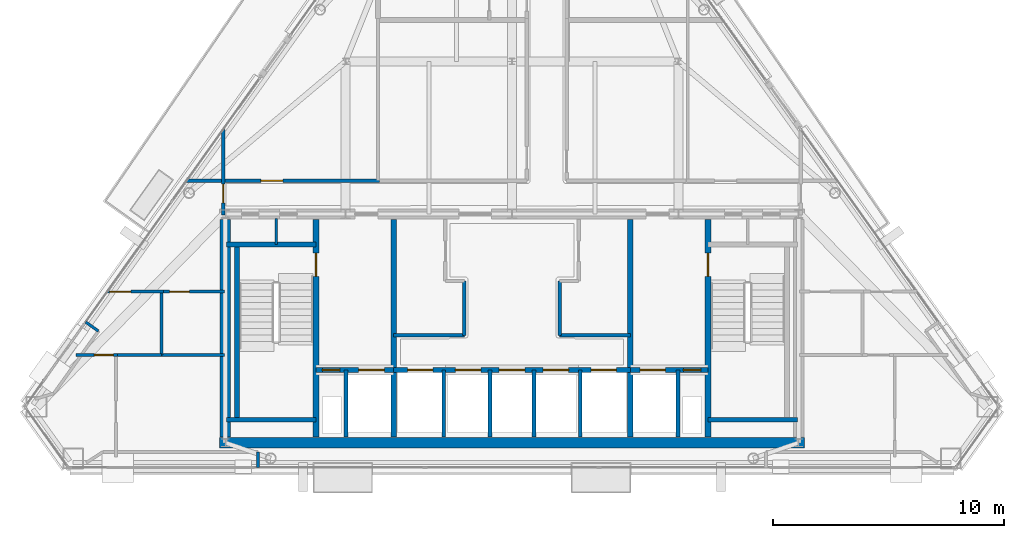
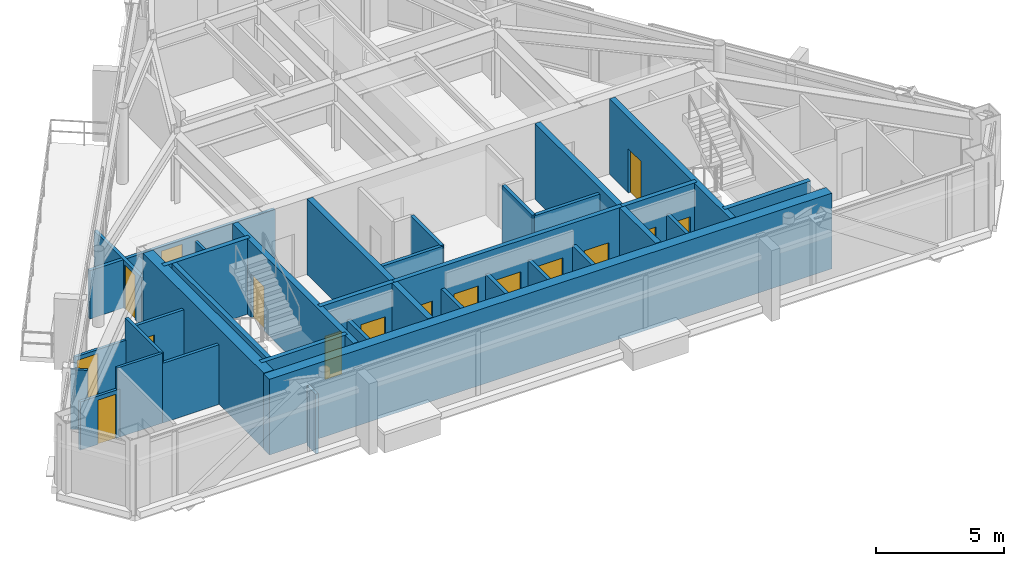
# One storey, part 8 of 12: 34 walls, 16 doors, 16 openings.
"""IFC4 building model written with IfcOpenShell, lengths in metres."""

from ifc_helpers import new_model, si_unit, direction, frame, frame_2d, origin, place, context, subcontext, project, spatial, rectangle, extrude, material, layer, layer_set, type_object, element, fill, save


model = new_model("IFC4")

# Units and contexts
model_context = context("Model", 3, precision=1e-05, world=origin(), true_north=direction((0.0, 1.0)))
body_context = subcontext(model_context, "Body", "Model", "MODEL_VIEW")
ifc_project = project(units=[si_unit("LENGTHUNIT", "METRE"), si_unit("AREAUNIT", "SQUARE_METRE"), si_unit("VOLUMEUNIT", "CUBIC_METRE"), si_unit("PLANEANGLEUNIT", "RADIAN"), si_unit("MASSUNIT", "GRAM", prefix="KILO")], contexts=[model_context])

# Site, building, storey
site_placement = place(None, origin())
site = spatial("IfcSite", under=ifc_project, at=site_placement, CompositionType="ELEMENT")
building_placement = place(site_placement, origin())
building = spatial("IfcBuilding", under=site, at=building_placement, Name="Talgorran Terracotta Tower", CompositionType="ELEMENT")
storey_placement = place(building_placement, frame((0.0, 0.0, 281.39990234375)))
storey = spatial("IfcBuildingStorey", under=building, at=storey_placement, Name="L74", CompositionType="ELEMENT", Elevation=281.39990234375)

# Walls
ifc_material_1 = material(Name="Concrete C50/60", Category="concrete")
ifc_layer_1 = layer(ifc_material_1, 0.199951171875, Name="WT_CORE_200")
ifc_layer_set_1 = layer_set([ifc_layer_1], Name="Concrete C50/60")
wall_type_1 = type_object("IfcWallType", Name="WT_CORE_200", PredefinedType="SOLIDWALL", material=ifc_layer_set_1)
for number, where, z_axis, x_axis, name in (
    (1, (-12.35009765625, -5.52001953125, 0.0), (0.0, 0.0, 1.0), (1.0, 0.0, 0.0), "WL-L74-CW-ST1-N"),
    (2, (-12.35009765625, -13.10009765625, 0.0), (0.0, 0.0, 1.0), (1.0, 0.0, 0.0), "WL-L74-CW-ST1-S"),
):
    element("IfcWall", number, at=place(storey_placement, frame(where, z_axis=z_axis, x_axis=x_axis)), inside=storey, type_object=wall_type_1, Name=name, PredefinedType="SOLIDWALL", context=body_context, shape_type="SweptSolid", body=[
        extrude(rectangle(XDim=3.8701171875, YDim=0.199951171875, at=frame_2d((1.93505859375, 0.0))), origin(), (0.0, 0.0, 1.0), 3.60009765625),
    ])
wall_1_placement = place(storey_placement, frame((-11.89990234375, -13.10009765625, 0.0), z_axis=(0.0, 0.0, 1.0), x_axis=(0.0, 1.0, 0.0)))
element("IfcWall", 3, at=wall_1_placement, inside=storey, type_object=wall_type_1, Name="WL-L74-CW-ST1-W", PredefinedType="SOLIDWALL", context=body_context, shape_type="SweptSolid", body=[
    extrude(rectangle(XDim=7.580078125, YDim=0.199951171875, at=frame_2d((3.7900390625, 0.0))), origin(), (0.0, 0.0, 1.0), 3.60009765625),
])
wall_2_placement = place(storey_placement, frame((8.47998046875, -13.10009765625, 0.0), z_axis=(0.0, 0.0, 1.0), x_axis=(1.0, 0.0, 0.0)))
element("IfcWall", 4, at=wall_2_placement, inside=storey, type_object=wall_type_1, Name="WL-L74-CW-ST2-S", PredefinedType="SOLIDWALL", context=body_context, shape_type="SweptSolid", body=[
    extrude(rectangle(XDim=3.8701171875, YDim=0.199951171875, at=frame_2d((1.93505859375, 0.0))), origin(), (0.0, 0.0, 1.0), 3.60009765625),
])

# Wall, openings, doors
wall_3_placement = place(storey_placement, frame((-8.47998046875, -10.949951171875, 0.0), z_axis=(0.0, 0.0, 1.0), x_axis=(1.0, 0.0, 0.0)))
wall_3 = element("IfcWall", 5, at=wall_3_placement, inside=storey, type_object=wall_type_1, Name="WL-L74-CW-H-SBW", PredefinedType="SOLIDWALL", context=body_context, shape_type="SweptSolid", body=[
    extrude(rectangle(XDim=3.35986328125, YDim=0.199951171875, at=frame_2d((1.679931640625, 0.0))), origin(), (0.0, 0.0, 1.0), 3.60009765625),
])
opening_1_placement = place(wall_3_placement, frame((0.280029296875, 0.0, 0.0)))
opening_1 = element("IfcOpeningElement", 6, at=opening_1_placement, cuts=wall_3, Name="Opening DR-RSW", PredefinedType="OPENING", context=body_context, shape_type="SweptSolid", body=[
    extrude(rectangle(XDim=0.756, YDim=2.054048828125, at=frame_2d((0.375, 1.027099609375))), frame((0.0, 0.10986328125, 0.0), z_axis=(0.0, -1.0, 0.0), x_axis=(1.0, 0.0, 0.0)), (0.0, 0.0, 1.0), 0.219970703125),
])
opening_2_placement = place(wall_3_placement, frame((1.85009765625, 0.0, 0.0)))
opening_2 = element("IfcOpeningElement", 7, at=opening_2_placement, cuts=wall_3, Name="Opening LD-FFL1", PredefinedType="OPENING", context=body_context, shape_type="SweptSolid", body=[
    extrude(rectangle(XDim=1.10609765625, YDim=2.10409765625, at=frame_2d((0.550048828125, 1.052001953125))), frame((0.0, 0.10986328125, 0.0), z_axis=(0.0, -1.0, 0.0), x_axis=(1.0, 0.0, 0.0)), (0.0, 0.0, 1.0), 0.219970703125),
])
ifc_material_2 = material(Name="Brushed Stainless Steel Grade 304", Category="steel")
door_type_1 = type_object("IfcDoorType", Name="DT_LIFT_LD1100", OperationType="DOUBLE_DOOR_SLIDING", PredefinedType="DOOR", material=ifc_material_2)
door_1_placement = place(opening_2_placement, origin())
door_1 = element("IfcDoor", 8, at=door_1_placement, inside=storey, type_object=door_type_1, Name="L74 Lift Landing Door LD-FFL1", OperationType="DOUBLE_DOOR_SLIDING", OverallHeight=2.10009765625, OverallWidth=1.10009765625, PredefinedType="DOOR", context=body_context, shape_type="SweptSolid", body=[
    extrude(rectangle(XDim=1.10009765625, YDim=2.10009765625, at=frame_2d((0.550048828125, 1.050048828125))), frame((0.0, 0.02490234375, 0.0), z_axis=(0.0, -1.0, 0.0), x_axis=(1.0, 0.0, 0.0)), (0.0, 0.0, 1.0), 0.050048828125),
])
fill(opening_2, door_1)
ifc_material_3 = material(Name="Fire-Rated Pressed Steel", Category="steel")
door_type_2 = type_object("IfcDoorType", Name="DT_RISER_750", OperationType="NOTDEFINED", PredefinedType="DOOR", material=ifc_material_3)
door_2_placement = place(opening_1_placement, origin())
door_2 = element("IfcDoor", 9, at=door_2_placement, inside=storey, type_object=door_type_2, Name="DR-RSW", OperationType="SINGLE_SWING_LEFT", OverallHeight=2.050048828125, OverallWidth=0.75, PredefinedType="DOOR", context=body_context, shape_type="SweptSolid", body=[
    extrude(rectangle(XDim=0.75, YDim=2.050048828125, at=frame_2d((0.375, 1.02490234375))), frame((0.0, 0.02490234375, 0.0), z_axis=(0.0, -1.0, 0.0), x_axis=(1.0, 0.0, 0.0)), (0.0, 0.0, 1.0), 0.050048828125),
])
fill(opening_1, door_2)

wall_4_placement = place(storey_placement, frame((-5.1201171875, -10.949951171875, 0.0), z_axis=(0.0, 0.0, 1.0), x_axis=(1.0, 0.0, 0.0)))
wall_4 = element("IfcWall", 10, at=wall_4_placement, inside=storey, type_object=wall_type_1, Name="WL-L74-CW-H-SBC", PredefinedType="SOLIDWALL", context=body_context, shape_type="SweptSolid", body=[
    extrude(rectangle(XDim=10.240234375, YDim=0.199951171875, at=frame_2d((5.1201171875, 0.0))), origin(), (0.0, 0.0, 1.0), 3.60009765625),
])
opening_3_placement = place(wall_4_placement, frame((0.60009765625, 0.0, 0.0)))
opening_3 = element("IfcOpeningElement", 11, at=opening_3_placement, cuts=wall_4, Name="Opening LD-OB1", PredefinedType="OPENING", context=body_context, shape_type="SweptSolid", body=[
    extrude(rectangle(XDim=1.10609765625, YDim=2.10409765625, at=frame_2d((0.550048828125, 1.052001953125))), frame((0.0, 0.10986328125, 0.0), z_axis=(0.0, -1.0, 0.0), x_axis=(1.0, 0.0, 0.0)), (0.0, 0.0, 1.0), 0.219970703125),
])
opening_4_placement = place(wall_4_placement, frame((2.669921875, 0.0, 0.0)))
opening_4 = element("IfcOpeningElement", 12, at=opening_4_placement, cuts=wall_4, Name="Opening LD-PLH1", PredefinedType="OPENING", context=body_context, shape_type="SweptSolid", body=[
    extrude(rectangle(XDim=1.10609765625, YDim=2.10409765625, at=frame_2d((0.550048828125, 1.052001953125))), frame((0.0, 0.10986328125, 0.0), z_axis=(0.0, -1.0, 0.0), x_axis=(1.0, 0.0, 0.0)), (0.0, 0.0, 1.0), 0.219970703125),
])
opening_5_placement = place(wall_4_placement, frame((4.570068359375, 0.0, 0.0)))
opening_5 = element("IfcOpeningElement", 13, at=opening_5_placement, cuts=wall_4, Name="Opening LD-PLH2", PredefinedType="OPENING", context=body_context, shape_type="SweptSolid", body=[
    extrude(rectangle(XDim=1.10609765625, YDim=2.10409765625, at=frame_2d((0.550048828125, 1.052001953125))), frame((0.0, 0.10986328125, 0.0), z_axis=(0.0, -1.0, 0.0), x_axis=(1.0, 0.0, 0.0)), (0.0, 0.0, 1.0), 0.219970703125),
])
opening_6_placement = place(wall_4_placement, frame((6.469970703125, 0.0, 0.0)))
opening_6 = element("IfcOpeningElement", 14, at=opening_6_placement, cuts=wall_4, Name="Opening LD-PLH3", PredefinedType="OPENING", context=body_context, shape_type="SweptSolid", body=[
    extrude(rectangle(XDim=1.10609765625, YDim=2.10409765625, at=frame_2d((0.550048828125, 1.052001953125))), frame((0.0, 0.10986328125, 0.0), z_axis=(0.0, -1.0, 0.0), x_axis=(1.0, 0.0, 0.0)), (0.0, 0.0, 1.0), 0.219970703125),
])
opening_7_placement = place(wall_4_placement, frame((8.5400390625, 0.0, 0.0)))
opening_7 = element("IfcOpeningElement", 15, at=opening_7_placement, cuts=wall_4, Name="Opening LD-SVL1", PredefinedType="OPENING", context=body_context, shape_type="SweptSolid", body=[
    extrude(rectangle(XDim=1.10609765625, YDim=2.10409765625, at=frame_2d((0.550048828125, 1.052001953125))), frame((0.0, 0.10986328125, 0.0), z_axis=(0.0, -1.0, 0.0), x_axis=(1.0, 0.0, 0.0)), (0.0, 0.0, 1.0), 0.219970703125),
])
door_3_placement = place(opening_3_placement, origin())
door_3 = element("IfcDoor", 16, at=door_3_placement, inside=storey, type_object=door_type_1, Name="L74 Lift Landing Door LD-OB1", OperationType="DOUBLE_DOOR_SLIDING", OverallHeight=2.10009765625, OverallWidth=1.10009765625, PredefinedType="DOOR", context=body_context, shape_type="SweptSolid", body=[
    extrude(rectangle(XDim=1.10009765625, YDim=2.10009765625, at=frame_2d((0.550048828125, 1.050048828125))), frame((0.0, 0.02490234375, 0.0), z_axis=(0.0, -1.0, 0.0), x_axis=(1.0, 0.0, 0.0)), (0.0, 0.0, 1.0), 0.050048828125),
])
fill(opening_3, door_3)
door_4_placement = place(opening_4_placement, origin())
door_4 = element("IfcDoor", 17, at=door_4_placement, inside=storey, type_object=door_type_1, Name="L74 Lift Landing Door LD-PLH1", OperationType="DOUBLE_DOOR_SLIDING", OverallHeight=2.10009765625, OverallWidth=1.10009765625, PredefinedType="DOOR", context=body_context, shape_type="SweptSolid", body=[
    extrude(rectangle(XDim=1.10009765625, YDim=2.10009765625, at=frame_2d((0.550048828125, 1.050048828125))), frame((0.0, 0.02490234375, 0.0), z_axis=(0.0, -1.0, 0.0), x_axis=(1.0, 0.0, 0.0)), (0.0, 0.0, 1.0), 0.050048828125),
])
fill(opening_4, door_4)
door_5_placement = place(opening_5_placement, origin())
door_5 = element("IfcDoor", 18, at=door_5_placement, inside=storey, type_object=door_type_1, Name="L74 Lift Landing Door LD-PLH2", OperationType="DOUBLE_DOOR_SLIDING", OverallHeight=2.10009765625, OverallWidth=1.10009765625, PredefinedType="DOOR", context=body_context, shape_type="SweptSolid", body=[
    extrude(rectangle(XDim=1.10009765625, YDim=2.10009765625, at=frame_2d((0.550048828125, 1.050048828125))), frame((0.0, 0.02490234375, 0.0), z_axis=(0.0, -1.0, 0.0), x_axis=(1.0, 0.0, 0.0)), (0.0, 0.0, 1.0), 0.050048828125),
])
fill(opening_5, door_5)
door_6_placement = place(opening_6_placement, origin())
door_6 = element("IfcDoor", 19, at=door_6_placement, inside=storey, type_object=door_type_1, Name="L74 Lift Landing Door LD-PLH3", OperationType="DOUBLE_DOOR_SLIDING", OverallHeight=2.10009765625, OverallWidth=1.10009765625, PredefinedType="DOOR", context=body_context, shape_type="SweptSolid", body=[
    extrude(rectangle(XDim=1.10009765625, YDim=2.10009765625, at=frame_2d((0.550048828125, 1.050048828125))), frame((0.0, 0.02490234375, 0.0), z_axis=(0.0, -1.0, 0.0), x_axis=(1.0, 0.0, 0.0)), (0.0, 0.0, 1.0), 0.050048828125),
])
fill(opening_6, door_6)
door_7_placement = place(opening_7_placement, origin())
door_7 = element("IfcDoor", 20, at=door_7_placement, inside=storey, type_object=door_type_1, Name="L74 Lift Landing Door LD-SVL1", OperationType="DOUBLE_DOOR_SLIDING", OverallHeight=2.10009765625, OverallWidth=1.10009765625, PredefinedType="DOOR", context=body_context, shape_type="SweptSolid", body=[
    extrude(rectangle(XDim=1.10009765625, YDim=2.10009765625, at=frame_2d((0.550048828125, 1.050048828125))), frame((0.0, 0.02490234375, 0.0), z_axis=(0.0, -1.0, 0.0), x_axis=(1.0, 0.0, 0.0)), (0.0, 0.0, 1.0), 0.050048828125),
])
fill(opening_7, door_7)

wall_5_placement = place(storey_placement, frame((5.1201171875, -10.949951171875, 0.0), z_axis=(0.0, 0.0, 1.0), x_axis=(1.0, 0.0, 0.0)))
wall_5 = element("IfcWall", 21, at=wall_5_placement, inside=storey, type_object=wall_type_1, Name="WL-L74-CW-H-SBE", PredefinedType="SOLIDWALL", context=body_context, shape_type="SweptSolid", body=[
    extrude(rectangle(XDim=3.35986328125, YDim=0.199951171875, at=frame_2d((1.679931640625, 0.0))), origin(), (0.0, 0.0, 1.0), 3.60009765625),
])
opening_8_placement = place(wall_5_placement, frame((0.419921875, 0.0, 0.0)))
opening_8 = element("IfcOpeningElement", 22, at=opening_8_placement, cuts=wall_5, Name="Opening LD-FFL2", PredefinedType="OPENING", context=body_context, shape_type="SweptSolid", body=[
    extrude(rectangle(XDim=1.10609765625, YDim=2.10409765625, at=frame_2d((0.550048828125, 1.052001953125))), frame((0.0, 0.10986328125, 0.0), z_axis=(0.0, -1.0, 0.0), x_axis=(1.0, 0.0, 0.0)), (0.0, 0.0, 1.0), 0.219970703125),
])
opening_9_placement = place(wall_5_placement, frame((2.300048828125, 0.0, 0.0)))
opening_9 = element("IfcOpeningElement", 23, at=opening_9_placement, cuts=wall_5, Name="Opening DR-RSE", PredefinedType="OPENING", context=body_context, shape_type="SweptSolid", body=[
    extrude(rectangle(XDim=0.756, YDim=2.054048828125, at=frame_2d((0.375, 1.027099609375))), frame((0.0, 0.10986328125, 0.0), z_axis=(0.0, -1.0, 0.0), x_axis=(1.0, 0.0, 0.0)), (0.0, 0.0, 1.0), 0.219970703125),
])
door_8_placement = place(opening_8_placement, origin())
door_8 = element("IfcDoor", 24, at=door_8_placement, inside=storey, type_object=door_type_1, Name="L74 Lift Landing Door LD-FFL2", OperationType="DOUBLE_DOOR_SLIDING", OverallHeight=2.10009765625, OverallWidth=1.10009765625, PredefinedType="DOOR", context=body_context, shape_type="SweptSolid", body=[
    extrude(rectangle(XDim=1.10009765625, YDim=2.10009765625, at=frame_2d((0.550048828125, 1.050048828125))), frame((0.0, 0.02490234375, 0.0), z_axis=(0.0, -1.0, 0.0), x_axis=(1.0, 0.0, 0.0)), (0.0, 0.0, 1.0), 0.050048828125),
])
fill(opening_8, door_8)
door_9_placement = place(opening_9_placement, origin())
door_9 = element("IfcDoor", 25, at=door_9_placement, inside=storey, type_object=door_type_2, Name="DR-RSE", OperationType="SINGLE_SWING_RIGHT", OverallHeight=2.050048828125, OverallWidth=0.75, PredefinedType="DOOR", context=body_context, shape_type="SweptSolid", body=[
    extrude(rectangle(XDim=0.75, YDim=2.050048828125, at=frame_2d((0.375, 1.02490234375))), frame((0.0, 0.02490234375, 0.0), z_axis=(0.0, -1.0, 0.0), x_axis=(1.0, 0.0, 0.0)), (0.0, 0.0, 1.0), 0.050048828125),
])
fill(opening_9, door_9)

# Wall, opening, door
ifc_layer_2 = layer(ifc_material_1, 0.25, Name="WT_CORE_250")
ifc_layer_set_2 = layer_set([ifc_layer_2], Name="Concrete C50/60")
wall_type_2 = type_object("IfcWallType", Name="WT_CORE_250", PredefinedType="SHEAR", material=ifc_layer_set_2)
wall_6_placement = place(storey_placement, frame((-8.47998046875, -13.85009765625, 0.0), z_axis=(0.0, 0.0, 1.0), x_axis=(0.0, 1.0, 0.0)))
wall_6 = element("IfcWall", 26, at=wall_6_placement, inside=storey, type_object=wall_type_2, Name="WL-L74-CW-V-W1", PredefinedType="SHEAR", context=body_context, shape_type="SweptSolid", body=[
    extrude(rectangle(XDim=9.400146484375, YDim=0.25, at=frame_2d((4.7001953125, 0.0))), origin(), (0.0, 0.0, 1.0), 3.60009765625),
])
opening_10_placement = place(wall_6_placement, frame((6.949951171875, 0.0, 0.0)))
opening_10 = element("IfcOpeningElement", 27, at=opening_10_placement, cuts=wall_6, Name="Opening DR-ST01", PredefinedType="OPENING", context=body_context, shape_type="SweptSolid", body=[
    extrude(rectangle(XDim=1.006, YDim=2.10409765625, at=frame_2d((0.5, 1.052001953125))), frame((0.0, 0.135009765625, 0.0), z_axis=(0.0, -1.0, 0.0), x_axis=(1.0, 0.0, 0.0)), (0.0, 0.0, 1.0), 0.27001953125),
])
door_type_3 = type_object("IfcDoorType", Name="DT_FIRE_1000", OperationType="NOTDEFINED", PredefinedType="DOOR", material=ifc_material_3)
door_10_placement = place(opening_10_placement, origin())
door_10 = element("IfcDoor", 28, at=door_10_placement, inside=storey, type_object=door_type_3, Name="DR-ST01", OperationType="SINGLE_SWING_LEFT", OverallHeight=2.10009765625, OverallWidth=1.0, PredefinedType="DOOR", context=body_context, shape_type="SweptSolid", body=[
    extrude(rectangle(XDim=1.0, YDim=2.10009765625, at=frame_2d((0.5, 1.050048828125))), frame((0.0, 0.02490234375, 0.0), z_axis=(0.0, -1.0, 0.0), x_axis=(1.0, 0.0, 0.0)), (0.0, 0.0, 1.0), 0.050048828125),
])
fill(opening_10, door_10)

wall_7_placement = place(storey_placement, frame((8.47998046875, -13.85009765625, 0.0), z_axis=(0.0, 0.0, 1.0), x_axis=(0.0, 1.0, 0.0)))
wall_7 = element("IfcWall", 29, at=wall_7_placement, inside=storey, type_object=wall_type_2, Name="WL-L74-CW-V-E1", PredefinedType="SHEAR", context=body_context, shape_type="SweptSolid", body=[
    extrude(rectangle(XDim=9.400146484375, YDim=0.25, at=frame_2d((4.7001953125, 0.0))), origin(), (0.0, 0.0, 1.0), 3.60009765625),
])
opening_11_placement = place(wall_7_placement, frame((6.949951171875, 0.0, 0.0)))
opening_11 = element("IfcOpeningElement", 30, at=opening_11_placement, cuts=wall_7, Name="Opening DR-ST02", PredefinedType="OPENING", context=body_context, shape_type="SweptSolid", body=[
    extrude(rectangle(XDim=1.006, YDim=2.10409765625, at=frame_2d((0.5, 1.052001953125))), frame((0.0, 0.135009765625, 0.0), z_axis=(0.0, -1.0, 0.0), x_axis=(1.0, 0.0, 0.0)), (0.0, 0.0, 1.0), 0.27001953125),
])
door_11_placement = place(opening_11_placement, origin())
door_11 = element("IfcDoor", 31, at=door_11_placement, inside=storey, type_object=door_type_3, Name="DR-ST02", OperationType="SINGLE_SWING_RIGHT", OverallHeight=2.10009765625, OverallWidth=1.0, PredefinedType="DOOR", context=body_context, shape_type="SweptSolid", body=[
    extrude(rectangle(XDim=1.0, YDim=2.10009765625, at=frame_2d((0.5, 1.050048828125))), frame((0.0, 0.02490234375, 0.0), z_axis=(0.0, -1.0, 0.0), x_axis=(1.0, 0.0, 0.0)), (0.0, 0.0, 1.0), 0.050048828125),
])
fill(opening_11, door_11)

# Walls
for number, where, z_axis, x_axis, name in (
    (32, (-5.1201171875, -13.85009765625, 0.0), (0.0, 0.0, 1.0), (0.0, 1.0, 0.0), "WL-L74-CW-V-W2"),
    (33, (5.1201171875, -13.85009765625, 0.0), (0.0, 0.0, 1.0), (0.0, 1.0, 0.0), "WL-L74-CW-V-E2"),
):
    element("IfcWall", number, at=place(storey_placement, frame(where, z_axis=z_axis, x_axis=x_axis)), inside=storey, type_object=wall_type_2, Name=name, PredefinedType="SHEAR", context=body_context, shape_type="SweptSolid", body=[
        extrude(rectangle(XDim=9.400146484375, YDim=0.25, at=frame_2d((4.7001953125, 0.0))), origin(), (0.0, 0.0, 1.0), 3.60009765625),
    ])
ifc_material_4 = material(Name="Concrete C65/80", Category="concrete")
ifc_layer_3 = layer(ifc_material_4, 0.449951171875, Name="WT_CORE_EXT")
ifc_layer_set_3 = layer_set([ifc_layer_3], Name="Concrete C65/80")
wall_type_3 = type_object("IfcWallType", Name="WT_CORE_EXT", PredefinedType="SHEAR", material=ifc_layer_set_3)
wall_8_placement = place(storey_placement, frame((-12.64990234375, -14.10009765625, 0.0), z_axis=(0.0, 0.0, 1.0), x_axis=(1.0, 0.0, 0.0)))
element("IfcWall", 34, at=wall_8_placement, inside=storey, type_object=wall_type_3, Name="WL-L74-CW-OUT-S", PredefinedType="SHEAR", context=body_context, shape_type="SweptSolid", body=[
    extrude(rectangle(XDim=25.2998046875, YDim=0.449951171875, at=frame_2d((12.64990234375, 0.0))), origin(), (0.0, 0.0, 1.0), 3.60009765625),
])
wall_9_placement = place(storey_placement, frame((-12.39990234375, -13.85009765625, 0.0), z_axis=(0.0, 0.0, 1.0), x_axis=(0.0, 1.0, 0.0)))
element("IfcWall", 35, at=wall_9_placement, inside=storey, type_object=wall_type_3, Name="WL-L74-CW-OUT-W", PredefinedType="SHEAR", context=body_context, shape_type="SweptSolid", body=[
    extrude(rectangle(XDim=9.400146484375, YDim=0.449951171875, at=frame_2d((4.7001953125, 0.0))), origin(), (0.0, 0.0, 1.0), 3.60009765625),
])
ifc_material_5 = material(Name="Fire-Rated Steel Stud Plasterboard", Category="steel")
ifc_layer_4 = layer(ifc_material_5, 0.14990234375, Name="WT_FIRE_150")
ifc_layer_set_4 = layer_set([ifc_layer_4], Name="Fire-Rated Steel Stud Plasterboard")
wall_type_4 = type_object("IfcWallType", Name="WT_FIRE_150", PredefinedType="PARTITIONING", material=ifc_layer_set_4)
wall_10_placement = place(storey_placement, frame((-5.1201171875, -9.449951171875, 0.0), z_axis=(0.0, 0.0, 1.0), x_axis=(1.0, 0.0, 0.0)))
element("IfcWall", 36, at=wall_10_placement, inside=storey, type_object=wall_type_4, Name="WL-L74-CW-H-W4N", PredefinedType="PARTITIONING", context=body_context, shape_type="SweptSolid", body=[
    extrude(rectangle(XDim=3.06005859375, YDim=0.14990234375, at=frame_2d((1.530029296875, 0.0))), origin(), (0.0, 0.0, 1.0), 3.320068359375),
])
wall_11_placement = place(storey_placement, frame((-2.06005859375, -9.449951171875, 0.0), z_axis=(0.0, 0.0, 1.0), x_axis=(0.0, 1.0, 0.0)))
element("IfcWall", 37, at=wall_11_placement, inside=storey, type_object=wall_type_4, Name="WL-L74-CW-V-W3S2", PredefinedType="PARTITIONING", context=body_context, shape_type="SweptSolid", body=[
    extrude(rectangle(XDim=2.349853515625, YDim=0.14990234375, at=frame_2d((1.1748046875, 0.0))), origin(), (0.0, 0.0, 1.0), 3.320068359375),
])
wall_12_placement = place(storey_placement, frame((2.06005859375, -9.449951171875, 0.0), z_axis=(0.0, 0.0, 1.0), x_axis=(1.0, 0.0, 0.0)))
element("IfcWall", 38, at=wall_12_placement, inside=storey, type_object=wall_type_4, Name="WL-L74-CW-H-E4N", PredefinedType="PARTITIONING", context=body_context, shape_type="SweptSolid", body=[
    extrude(rectangle(XDim=3.06005859375, YDim=0.14990234375, at=frame_2d((1.530029296875, 0.0))), origin(), (0.0, 0.0, 1.0), 3.320068359375),
])
wall_13_placement = place(storey_placement, frame((2.06005859375, -9.449951171875, 0.0), z_axis=(0.0, 0.0, 1.0), x_axis=(0.0, 1.0, 0.0)))
element("IfcWall", 39, at=wall_13_placement, inside=storey, type_object=wall_type_4, Name="WL-L74-CW-V-E3S2", PredefinedType="PARTITIONING", context=body_context, shape_type="SweptSolid", body=[
    extrude(rectangle(XDim=2.349853515625, YDim=0.14990234375, at=frame_2d((1.1748046875, 0.0))), origin(), (0.0, 0.0, 1.0), 3.320068359375),
])

# Wall, opening, door
wall_14_placement = place(storey_placement, frame((-14.082275390625, -2.760009765625, 0.0), z_axis=(0.0, 0.0, 1.0), x_axis=(1.0, 0.0, 0.0)))
wall_14 = element("IfcWall", 40, at=wall_14_placement, inside=storey, type_object=wall_type_4, Name="WL-L74-W-L74-R03", PredefinedType="PARTITIONING", context=body_context, shape_type="SweptSolid", body=[
    extrude(rectangle(XDim=8.34228515625, YDim=0.14990234375, at=frame_2d((4.171142578125, 0.0))), origin(), (0.0, 0.0, 1.0), 2.295166015625),
])
opening_12_placement = place(wall_14_placement, frame((3.214111328125, 0.0, 0.0)))
opening_12 = element("IfcOpeningElement", 41, at=opening_12_placement, cuts=wall_14, Name="Opening DR-L74-R11", PredefinedType="OPENING", context=body_context, shape_type="SweptSolid", body=[
    extrude(rectangle(XDim=0.955951171875, YDim=2.10409765625, at=frame_2d((0.47509765625, 1.052001953125))), frame((0.0, 0.0849609375, 0.0), z_axis=(0.0, -1.0, 0.0), x_axis=(1.0, 0.0, 0.0)), (0.0, 0.0, 1.0), 0.169921875),
])
ifc_material_6 = material(Name="Fire-Rated Timber Core", Category="wood")
door_type_4 = type_object("IfcDoorType", Name="DT_FIRE_950", OperationType="NOTDEFINED", PredefinedType="DOOR", material=ifc_material_6)
door_12_placement = place(opening_12_placement, origin())
door_12 = element("IfcDoor", 42, at=door_12_placement, inside=storey, type_object=door_type_4, Name="DR-L74-R11", OperationType="SINGLE_SWING_LEFT", OverallHeight=2.10009765625, OverallWidth=0.949951171875, PredefinedType="DOOR", context=body_context, shape_type="SweptSolid", body=[
    extrude(rectangle(XDim=0.949951171875, YDim=2.10009765625, at=frame_2d((0.47509765625, 1.050048828125))), frame((0.0, 0.02490234375, 0.0), z_axis=(0.0, -1.0, 0.0), x_axis=(1.0, 0.0, 0.0)), (0.0, 0.0, 1.0), 0.050048828125),
])
fill(opening_12, door_12)

wall_15_placement = place(storey_placement, frame((-12.5, -4.239990234375, 0.0), z_axis=(0.0, 0.0, 1.0), x_axis=(0.0, 1.0, 0.0)))
wall_15 = element("IfcWall", 43, at=wall_15_placement, inside=storey, type_object=wall_type_4, Name="WL-L74-W-L74-R01", PredefinedType="PARTITIONING", context=body_context, shape_type="SweptSolid", body=[
    extrude(rectangle(XDim=3.695068359375, YDim=0.14990234375, at=frame_2d((1.84765625, 0.0))), origin(), (0.0, 0.0, 1.0), 2.295166015625),
])
opening_13_placement = place(wall_15_placement, frame((0.515625, 0.0, 0.0)))
opening_13 = element("IfcOpeningElement", 44, at=opening_13_placement, cuts=wall_15, Name="Opening DR-L74-R01", PredefinedType="OPENING", context=body_context, shape_type="SweptSolid", body=[
    extrude(rectangle(XDim=0.826068359375, YDim=2.10409765625, at=frame_2d((0.41015625, 1.052001953125))), frame((0.0, 0.0849609375, 0.0), z_axis=(0.0, -1.0, 0.0), x_axis=(1.0, 0.0, 0.0)), (0.0, 0.0, 1.0), 0.169921875),
])
ifc_material_7 = material(Name="Moisture-Resistant Solid Timber", Category="wood")
door_type_5 = type_object("IfcDoorType", Name="DT_INT_820", OperationType="NOTDEFINED", PredefinedType="DOOR", material=ifc_material_7)
door_13_placement = place(opening_13_placement, origin())
door_13 = element("IfcDoor", 45, at=door_13_placement, inside=storey, type_object=door_type_5, Name="DR-L74-R01", OperationType="SINGLE_SWING_LEFT", OverallHeight=2.10009765625, OverallWidth=0.820068359375, PredefinedType="DOOR", context=body_context, shape_type="SweptSolid", body=[
    extrude(rectangle(XDim=0.820068359375, YDim=2.10009765625, at=frame_2d((0.41015625, 1.050048828125))), frame((0.0, 0.02490234375, 0.0), z_axis=(0.0, -1.0, 0.0), x_axis=(1.0, 0.0, 0.0)), (0.0, 0.0, 1.0), 0.050048828125),
])
fill(opening_13, door_13)

# Wall
ifc_material_8 = material(Name="Insulated Steel Stud Plasterboard", Category="steel")
ifc_layer_5 = layer(ifc_material_8, 0.1201171875, Name="WT_PART_120")
ifc_layer_set_5 = layer_set([ifc_layer_5], Name="Insulated Steel Stud Plasterboard")
wall_type_5 = type_object("IfcWallType", Name="WT_PART_120", PredefinedType="PARTITIONING", material=ifc_layer_set_5)
wall_16_placement = place(storey_placement, frame((-10.199951171875, -5.52001953125, 0.0), z_axis=(0.0, 0.0, 1.0), x_axis=(0.0, 1.0, 0.0)))
element("IfcWall", 46, at=wall_16_placement, inside=storey, type_object=wall_type_5, Name="WL-L74-CW-CSW-DIV", PredefinedType="PARTITIONING", context=body_context, shape_type="SweptSolid", body=[
    extrude(rectangle(XDim=1.1201171875, YDim=0.1201171875, at=frame_2d((0.56005859375, 0.0))), origin(), (0.0, 0.0, 1.0), 3.320068359375),
])

# Wall, opening, door
wall_17_placement = place(storey_placement, frame((-17.510986328125, -7.56005859375, 0.0), z_axis=(0.0, 0.0, 1.0), x_axis=(1.0, 0.0, 0.0)))
wall_17 = element("IfcWall", 47, at=wall_17_placement, inside=storey, type_object=wall_type_5, Name="WL-L74-W-L74-R13", PredefinedType="PARTITIONING", context=body_context, shape_type="SweptSolid", body=[
    extrude(rectangle(XDim=2.430908203125, YDim=0.1201171875, at=frame_2d((1.21533203125, 0.0))), origin(), (0.0, 0.0, 1.0), 2.295166015625),
])
opening_14_placement = place(wall_17_placement, frame((0.10009765625, 0.0, 0.0)))
opening_14 = element("IfcOpeningElement", 48, at=opening_14_placement, cuts=wall_17, Name="Opening DR-L74-R03", PredefinedType="OPENING", context=body_context, shape_type="SweptSolid", body=[
    extrude(rectangle(XDim=0.925921875, YDim=2.10409765625, at=frame_2d((0.4599609375, 1.052001953125))), frame((0.0, 0.070068359375, 0.0), z_axis=(0.0, -1.0, 0.0), x_axis=(1.0, 0.0, 0.0)), (0.0, 0.0, 1.0), 0.14013671875),
])
ifc_material_9 = material(Name="Solid-Core Painted Timber", Category="wood")
door_type_6 = type_object("IfcDoorType", Name="DT_INT_920", OperationType="NOTDEFINED", PredefinedType="DOOR", material=ifc_material_9)
door_14_placement = place(opening_14_placement, origin())
door_14 = element("IfcDoor", 49, at=door_14_placement, inside=storey, type_object=door_type_6, Name="DR-L74-R03", OperationType="SINGLE_SWING_LEFT", OverallHeight=2.10009765625, OverallWidth=0.919921875, PredefinedType="DOOR", context=body_context, shape_type="SweptSolid", body=[
    extrude(rectangle(XDim=0.919921875, YDim=2.10009765625, at=frame_2d((0.4599609375, 1.050048828125))), frame((0.0, 0.02490234375, 0.0), z_axis=(0.0, -1.0, 0.0), x_axis=(1.0, 0.0, 0.0)), (0.0, 0.0, 1.0), 0.050048828125),
])
fill(opening_14, door_14)

# Wall
wall_18_placement = place(storey_placement, frame((-17.199951171875, -10.300048828125, 0.0), z_axis=(0.0, 0.0, 1.0), x_axis=(1.0, 0.0, 0.0)))
element("IfcWall", 50, at=wall_18_placement, inside=storey, type_object=wall_type_5, Name="WL-L74-W-L74-R18", PredefinedType="PARTITIONING", context=body_context, shape_type="SweptSolid", body=[
    extrude(rectangle(XDim=2.0400390625, YDim=0.1201171875, at=frame_2d((1.02001953125, 0.0))), origin(), (0.0, 0.0, 1.0), 3.320068359375),
])

# Wall, opening, door
wall_19_placement = place(storey_placement, frame((-18.860107421875, -10.300048828125, 0.0), z_axis=(0.0, 0.0, 1.0), x_axis=(1.0, 0.0, 0.0)))
wall_19 = element("IfcWall", 51, at=wall_19_placement, inside=storey, type_object=wall_type_5, Name="WL-L74-W-L74-R17", PredefinedType="PARTITIONING", context=body_context, shape_type="SweptSolid", body=[
    extrude(rectangle(XDim=1.780029296875, YDim=0.1201171875, at=frame_2d((0.89013671875, 0.0))), origin(), (0.0, 0.0, 1.0), 2.295166015625),
])
opening_15_placement = place(wall_19_placement, frame((0.794921875, 0.0, 0.0)))
opening_15 = element("IfcOpeningElement", 52, at=opening_15_placement, cuts=wall_19, Name="Opening DR-L74-R04", PredefinedType="OPENING", context=body_context, shape_type="SweptSolid", body=[
    extrude(rectangle(XDim=0.826068359375, YDim=2.10409765625, at=frame_2d((0.41015625, 1.052001953125))), frame((0.0, 0.070068359375, 0.0), z_axis=(0.0, -1.0, 0.0), x_axis=(1.0, 0.0, 0.0)), (0.0, 0.0, 1.0), 0.14013671875),
])
door_15_placement = place(opening_15_placement, origin())
door_15 = element("IfcDoor", 53, at=door_15_placement, inside=storey, type_object=door_type_5, Name="DR-L74-R04", OperationType="SINGLE_SWING_RIGHT", OverallHeight=2.10009765625, OverallWidth=0.820068359375, PredefinedType="DOOR", context=body_context, shape_type="SweptSolid", body=[
    extrude(rectangle(XDim=0.820068359375, YDim=2.10009765625, at=frame_2d((0.41015625, 1.050048828125))), frame((0.0, 0.02490234375, 0.0), z_axis=(0.0, -1.0, 0.0), x_axis=(1.0, 0.0, 0.0)), (0.0, 0.0, 1.0), 0.050048828125),
])
fill(opening_15, door_15)

# Walls
wall_20_placement = place(storey_placement, frame((-10.98974609375, -14.494384765625, 0.0), z_axis=(0.0, 0.0, 1.0), x_axis=(0.0, -1.0, 0.0)))
element("IfcWall", 54, at=wall_20_placement, inside=storey, type_object=wall_type_5, Name="WL-L74-BW-L74-02", PredefinedType="PARTITIONING", context=body_context, shape_type="SweptSolid", body=[
    extrude(rectangle(XDim=0.669921875, YDim=0.1201171875, at=frame_2d((0.3349609375, 0.0))), origin(), (0.0, 0.0, 1.0), 2.838134765625),
])
wall_21_placement = place(storey_placement, frame((-18.44091796875, -8.87890625, 0.0), z_axis=(0.0, 0.0, 1.0), x_axis=(0.81385652885, -0.581065874448, 0.0)))
element("IfcWall", 55, at=wall_21_placement, inside=storey, type_object=wall_type_5, Name="WL-L74-BW-L74-07", PredefinedType="PARTITIONING", context=body_context, shape_type="SweptSolid", body=[
    extrude(rectangle(XDim=0.670166015625, YDim=0.1201171875, at=frame_2d((0.3349609375, 0.0))), origin(), (0.0, 0.0, 1.0), 2.838134765625),
])

# Wall, opening, door
ifc_material_10 = material(Name="Moisture-Resistant Stud Wall")
ifc_layer_6 = layer(ifc_material_10, 0.135009765625, Name="WT_PART_135")
ifc_layer_set_6 = layer_set([ifc_layer_6], Name="Moisture-Resistant Stud Wall")
wall_type_6 = type_object("IfcWallType", Name="WT_PART_135", PredefinedType="PARTITIONING", material=ifc_layer_set_6)
wall_22_placement = place(storey_placement, frame((-15.199951171875, -7.56005859375, 0.0), z_axis=(0.0, 0.0, 1.0), x_axis=(1.0, 0.0, 0.0)))
wall_22 = element("IfcWall", 56, at=wall_22_placement, inside=storey, type_object=wall_type_6, Name="WL-L74-W-L74-R12", PredefinedType="PARTITIONING", context=body_context, shape_type="SweptSolid", body=[
    extrude(rectangle(XDim=2.760009765625, YDim=0.135009765625, at=frame_2d((1.3798828125, 0.0))), origin(), (0.0, 0.0, 1.0), 2.838134765625),
])
opening_16_placement = place(wall_22_placement, frame((0.394287109375, 0.0, 0.0)))
opening_16 = element("IfcOpeningElement", 57, at=opening_16_placement, cuts=wall_22, Name="Opening DR-L74-R02", PredefinedType="OPENING", context=body_context, shape_type="SweptSolid", body=[
    extrude(rectangle(XDim=0.85609765625, YDim=2.10409765625, at=frame_2d((0.425048828125, 1.052001953125))), frame((0.0, 0.07763671875, 0.0), z_axis=(0.0, -1.0, 0.0), x_axis=(1.0, 0.0, 0.0)), (0.0, 0.0, 1.0), 0.155029296875),
])
door_type_7 = type_object("IfcDoorType", Name="DT_INT_850", OperationType="NOTDEFINED", PredefinedType="DOOR", material=ifc_material_7)
door_16_placement = place(opening_16_placement, origin())
door_16 = element("IfcDoor", 58, at=door_16_placement, inside=storey, type_object=door_type_7, Name="DR-L74-R02", OperationType="SINGLE_SWING_RIGHT", OverallHeight=2.10009765625, OverallWidth=0.85009765625, PredefinedType="DOOR", context=body_context, shape_type="SweptSolid", body=[
    extrude(rectangle(XDim=0.85009765625, YDim=2.10009765625, at=frame_2d((0.425048828125, 1.050048828125))), frame((0.0, 0.02490234375, 0.0), z_axis=(0.0, -1.0, 0.0), x_axis=(1.0, 0.0, 0.0)), (0.0, 0.0, 1.0), 0.050048828125),
])
fill(opening_16, door_16)

# Walls
wall_23_placement = place(storey_placement, frame((-15.159912109375, -10.300048828125, 0.0), z_axis=(0.0, 0.0, 1.0), x_axis=(0.0, 1.0, 0.0)))
element("IfcWall", 59, at=wall_23_placement, inside=storey, type_object=wall_type_6, Name="WL-L74-W-L74-R15", PredefinedType="PARTITIONING", context=body_context, shape_type="SweptSolid", body=[
    extrude(rectangle(XDim=2.739990234375, YDim=0.135009765625, at=frame_2d((1.3701171875, 0.0))), origin(), (0.0, 0.0, 1.0), 3.320068359375),
])
wall_24_placement = place(storey_placement, frame((-15.159912109375, -10.300048828125, 0.0), z_axis=(0.0, 0.0, 1.0), x_axis=(1.0, 0.0, 0.0)))
element("IfcWall", 60, at=wall_24_placement, inside=storey, type_object=wall_type_6, Name="WL-L74-W-L74-R16", PredefinedType="PARTITIONING", context=body_context, shape_type="SweptSolid", body=[
    extrude(rectangle(XDim=2.719970703125, YDim=0.135009765625, at=frame_2d((1.35986328125, 0.0))), origin(), (0.0, 0.0, 1.0), 2.838134765625),
])
ifc_material_11 = material(Name="Fire-Rated Shaftwall")
ifc_layer_7 = layer(ifc_material_11, 0.159912109375, Name="WT_PART_150")
ifc_layer_set_7 = layer_set([ifc_layer_7], Name="Fire-Rated Shaftwall")
wall_type_7 = type_object("IfcWallType", Name="WT_PART_150", PredefinedType="PARTITIONING", material=ifc_layer_set_7)
for number, where, z_axis, x_axis, name in (
    (61, (-7.179931640625, -13.85009765625, 0.0), (0.0, 0.0, 1.0), (0.0, 1.0, 0.0), "WL-L74-CW-RSW"),
    (62, (7.179931640625, -13.85009765625, 0.0), (0.0, 0.0, 1.0), (0.0, 1.0, 0.0), "WL-L74-CW-RSE"),
    (63, (-2.949951171875, -13.85009765625, 0.0), (0.0, 0.0, 1.0), (0.0, 1.0, 0.0), "WL-L74-CW-OB-E"),
    (64, (2.949951171875, -13.85009765625, 0.0), (0.0, 0.0, 1.0), (0.0, 1.0, 0.0), "WL-L74-CW-SV-W"),
    (65, (-0.949951171875, -13.85009765625, 0.0), (0.0, 0.0, 1.0), (0.0, 1.0, 0.0), "WL-L74-CW-PLH-D1"),
    (66, (0.949951171875, -13.85009765625, 0.0), (0.0, 0.0, 1.0), (0.0, 1.0, 0.0), "WL-L74-CW-PLH-D2"),
):
    element("IfcWall", number, at=place(storey_placement, frame(where, z_axis=z_axis, x_axis=x_axis)), inside=storey, type_object=wall_type_7, Name=name, PredefinedType="PARTITIONING", context=body_context, shape_type="SweptSolid", body=[
        extrude(rectangle(XDim=2.900146484375, YDim=0.159912109375, at=frame_2d((1.4501953125, 0.0))), origin(), (0.0, 0.0, 1.0), 2.545166015625),
    ])

save(model, "model.ifc")
